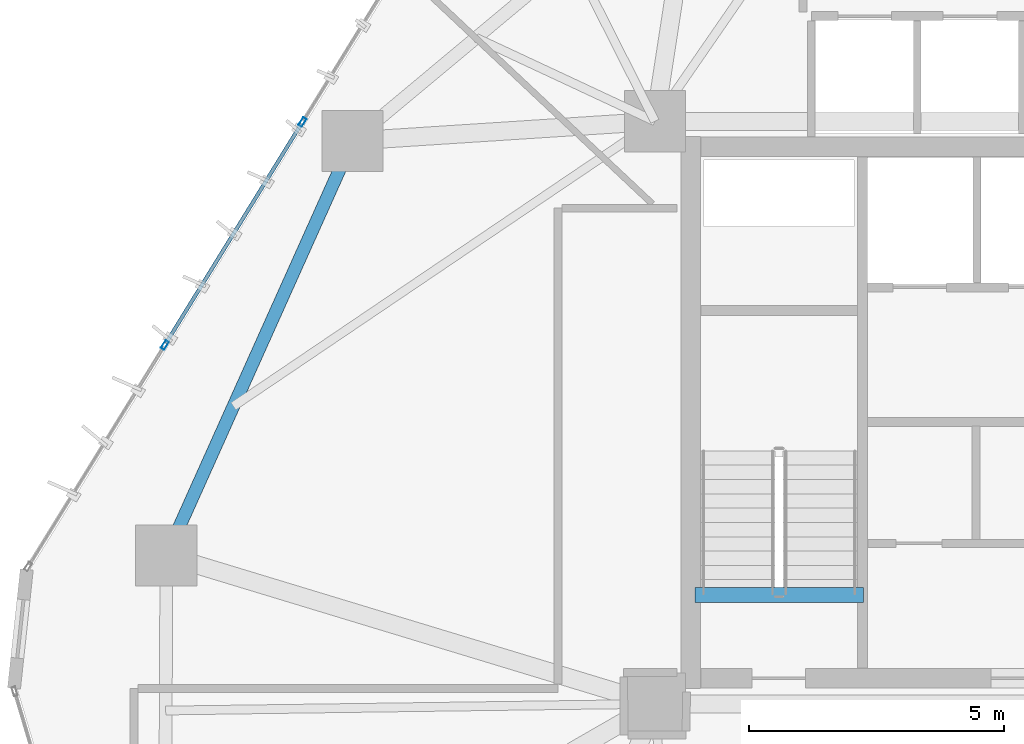
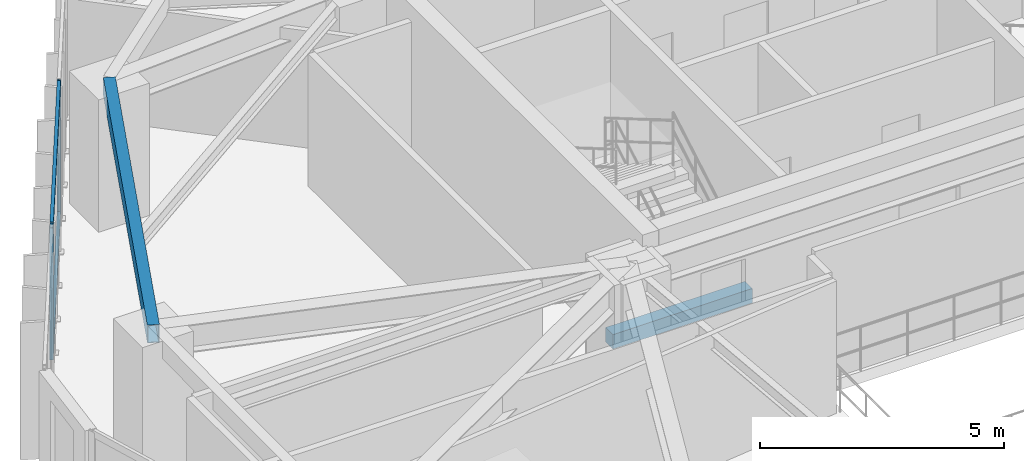
# One storey, part 8 of 20: 4 members, 2 beams, 1 element without a shape of its own.
"""IFC4 building model written with IfcOpenShell, lengths in metres."""

from ifc_helpers import new_model, si_unit, direction, frame, origin, origin_2d, place, context, subcontext, project, spatial, rectangle, hollow_rectangle, extrude, source, transform, mapped, material, layer, layer_set, material_profile, profile_set, type_object, type_shapes, element, aggregate, save


model = new_model("IFC4")

# Units and contexts
model_context = context("Model", 3, precision=1e-05, world=origin(), true_north=direction((0.0, 1.0)))
body_context = subcontext(model_context, "Body", "Model", "MODEL_VIEW")
ifc_project = project(units=[si_unit("LENGTHUNIT", "METRE"), si_unit("AREAUNIT", "SQUARE_METRE"), si_unit("VOLUMEUNIT", "CUBIC_METRE"), si_unit("PLANEANGLEUNIT", "RADIAN"), si_unit("MASSUNIT", "GRAM", prefix="KILO")], contexts=[model_context])

# Site, building, storey
site_placement = place(None, origin())
site = spatial("IfcSite", under=ifc_project, at=site_placement, CompositionType="ELEMENT")
building_placement = place(site_placement, origin())
building = spatial("IfcBuilding", under=site, at=building_placement, Name="Talar Marvaseh", CompositionType="ELEMENT")
storey_placement = place(building_placement, frame((0.0, 0.0, 132.60009765625)))
storey = spatial("IfcBuildingStorey", under=building, at=storey_placement, Name="L34", CompositionType="ELEMENT", Elevation=132.60009765625)

# Beams
ifc_material_1 = material(Name="Concrete C40/50", Category="concrete")
ifc_material_profile_1 = material_profile(ifc_material_1, rectangle(XDim=0.300048828125, YDim=0.360107421875, at=origin_2d()), Name="RC300x360")
ifc_profile_set_1 = profile_set([ifc_material_profile_1], Name="Concrete C40/50")
beam_type_1 = type_object("IfcBeamType", Name="Concrete Stair Landing Trimmer Beam RC300x360", PredefinedType="SPANDREL", material=ifc_profile_set_1)
beam_1_placement = place(storey_placement, frame((22.780029296875, 27.6298828125, -0.18017578125), z_axis=(-1.0, 0.0, 0.0), x_axis=(0.0, -1.0, 0.0)))
element("IfcBeam", 1, at=beam_1_placement, inside=storey, type_object=beam_type_1, Name="L34 ST-1 Stair Nosing Trimmer Beam", PredefinedType="SPANDREL", context=body_context, shape_type="SweptSolid", body=[
    extrude(rectangle(XDim=0.300048828125, YDim=0.360107421875, at=origin_2d()), origin(), (0.0, 0.0, 1.0), 3.300048828125),
])
ifc_material_2 = material(Name="Steel S355", Category="steel")
ifc_material_profile_2 = material_profile(ifc_material_2, hollow_rectangle(XDim=0.25, YDim=0.449951171875, WallThickness=0.01611328125, at=origin_2d()), Name="RHS450x250x16")
ifc_profile_set_2 = profile_set([ifc_material_profile_2], Name="Steel S355")
beam_type_2 = type_object("IfcBeamType", Name="Zone 2 Perimeter Spandrel Beam RHS450x250x16", PredefinedType="SPANDREL", material=ifc_profile_set_2)
beam_2_placement = place(storey_placement, frame((9.137939453125, 28.402099609375, 3.0849609375), z_axis=(0.409461733275, 0.912327292688, 0.0), x_axis=(-0.912327292688, 0.409461733275, 0.0)))
element("IfcBeam", 2, at=beam_2_placement, inside=storey, type_object=beam_type_2, Name="L34 Zone 2 Perimeter Spandrel Beam RHS450x250x16", PredefinedType="SPANDREL", context=body_context, shape_type="SweptSolid", body=[
    extrude(hollow_rectangle(XDim=0.25, YDim=0.449951171875, WallThickness=0.01611328125, at=origin_2d()), origin(), (0.0, 0.0, 1.0), 8.894775390625),
])

# Curtain wall, members
ifc_material_3 = material(Name="Architectural Aluminium", Category="aluminium")
ifc_layer = layer(ifc_material_3, 0.199951171875)
ifc_layer_set = layer_set([ifc_layer], Name="Architectural Aluminium")
curtain_wall_type = type_object("IfcCurtainWallType", Name="Unitised Acoustic Library Curtain Wall Z2", PredefinedType="NOTDEFINED", material=ifc_layer_set)
curtain_wall_placement = place(storey_placement, origin())
curtain_wall = element("IfcCurtainWall", 3, at=curtain_wall_placement, inside=storey, type_object=curtain_wall_type, Name="L34 Unitised Acoustic Library Curtain Wall Z2", PredefinedType="NOTDEFINED")
ifc_material_profile_3 = material_profile(ifc_material_3, hollow_rectangle(XDim=0.074951171875, YDim=0.179931640625, WallThickness=0.0048828125, at=origin_2d()), Name="RHS180x75x5")
ifc_profile_set_3 = profile_set([ifc_material_profile_3], Name="Architectural Aluminium")
member_type_1 = type_object("IfcMemberType", Name="Unitised Curtain Wall Standard Mullion RHS180x75x5", PredefinedType="MULLION", material=ifc_profile_set_3)
shared_shape_1 = source(origin(), body_context, "Body", "SweptSolid", [
    extrude(hollow_rectangle(XDim=0.074951171875, YDim=0.179931640625, WallThickness=0.0048828125, at=origin_2d()), origin(), (0.0, 0.0, 1.0), 3.309814453125),
])
type_shapes(member_type_1, [shared_shape_1])
member_1_placement = place(storey_placement, frame((9.107666015625, 32.521484375, 0.0), z_axis=(0.0, 0.0, 1.0), x_axis=(-0.850974472915, 0.525207051026, 0.0)))
member_1 = element("IfcMember", 4, at=member_1_placement, type_object=member_type_1, Name="CW-Z2 mullion 2", PredefinedType="MULLION", context=body_context, shape_type="MappedRepresentation", body=[
    mapped(shared_shape_1, transform((0.0, 0.0, 0.0), x_axis=(1.0, 0.0, 0.0), y_axis=(0.0, 1.0, 0.0), z_axis=(0.0, 0.0, 1.0), scale=1.0)),
])
member_2_placement = place(storey_placement, frame((11.802001953125, 36.886962890625, 0.0), z_axis=(0.0, 0.0, 1.0), x_axis=(-0.850974472915, 0.525207051026, 0.0)))
member_2 = element("IfcMember", 5, at=member_2_placement, type_object=member_type_1, Name="CW-Z2 mullion 3", PredefinedType="MULLION", context=body_context, shape_type="MappedRepresentation", body=[
    mapped(shared_shape_1, transform((0.0, 0.0, 0.0), x_axis=(1.0, 0.0, 0.0), y_axis=(0.0, 1.0, 0.0), z_axis=(0.0, 0.0, 1.0), scale=1.0)),
])
ifc_material_profile_4 = material_profile(ifc_material_3, hollow_rectangle(XDim=0.074951171875, YDim=0.179931640625, WallThickness=0.0048828125, at=origin_2d()), Name="RHS180x75x5")
ifc_profile_set_4 = profile_set([ifc_material_profile_4], Name="Architectural Aluminium")
member_type_2 = type_object("IfcMemberType", Name="Unitised Curtain Wall Transom RHS180x75x5", PredefinedType="USERDEFINED", material=ifc_profile_set_4)
shared_shape_2 = source(origin(), body_context, "Body", "SweptSolid", [
    extrude(hollow_rectangle(XDim=0.074951171875, YDim=0.179931640625, WallThickness=0.0048828125, at=origin_2d()), origin(), (0.0, 0.0, 1.0), 5.0546875),
])
type_shapes(member_type_2, [shared_shape_2])
member_3_placement = place(storey_placement, frame((9.12744140625, 32.553466796875, 0.037353515625), z_axis=(0.52520184706, 0.850977684693, 0.0), x_axis=(-0.850977684693, 0.52520184706, 0.0)))
member_3 = element("IfcMember", 6, at=member_3_placement, type_object=member_type_2, Name="CW-Z2 transom 2.1", ObjectType="TRANSOM", PredefinedType="USERDEFINED", context=body_context, shape_type="MappedRepresentation", body=[
    mapped(shared_shape_2, transform((0.0, 0.0, 0.0), x_axis=(1.0, 0.0, 0.0), y_axis=(0.0, 1.0, 0.0), z_axis=(0.0, 0.0, 1.0), scale=1.0)),
])
member_4_placement = place(storey_placement, frame((9.12744140625, 32.553466796875, 3.2724609375), z_axis=(0.52520184706, 0.850977684693, 0.0), x_axis=(-0.850977684693, 0.52520184706, 0.0)))
member_4 = element("IfcMember", 7, at=member_4_placement, type_object=member_type_2, Name="CW-Z2 transom 2.2", ObjectType="TRANSOM", PredefinedType="USERDEFINED", context=body_context, shape_type="MappedRepresentation", body=[
    mapped(shared_shape_2, transform((0.0, 0.0, 0.0), x_axis=(1.0, 0.0, 0.0), y_axis=(0.0, 1.0, 0.0), z_axis=(0.0, 0.0, 1.0), scale=1.0)),
])
aggregate(curtain_wall, [member_1, member_2, member_3, member_4])

save(model, "model.ifc")
